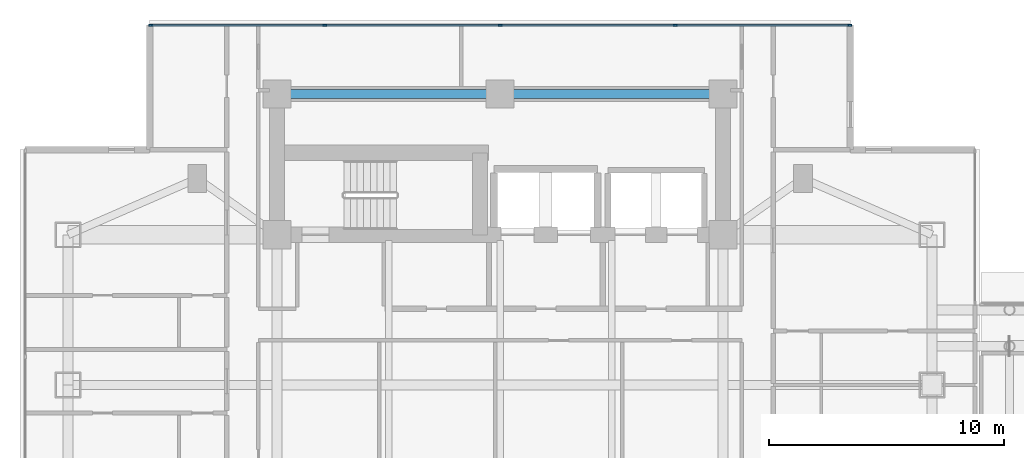
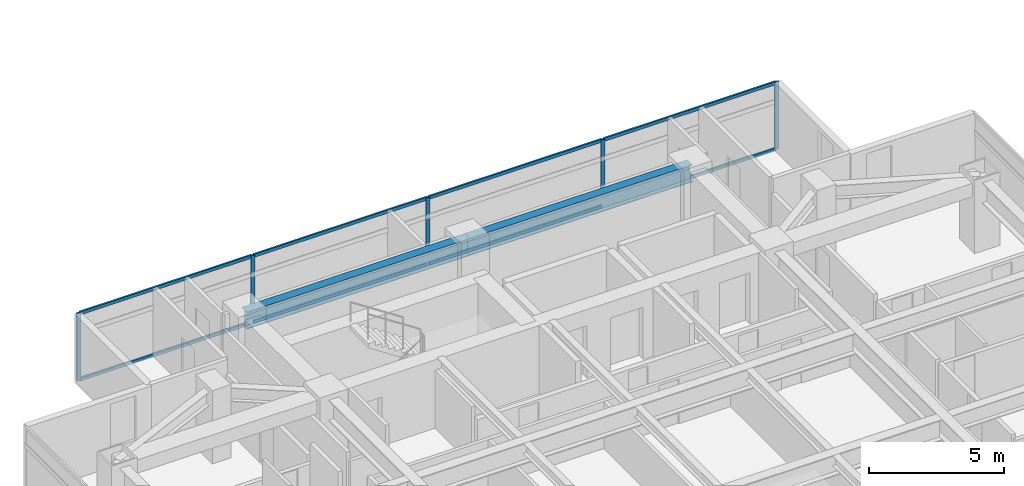
# One storey, part 7 of 29: 13 members, 2 beams, 1 element without a shape of its own.
"""IFC4 building model written with IfcOpenShell, lengths in metres."""

from ifc_helpers import new_model, si_unit, direction, frame, origin, origin_2d, place, context, subcontext, project, spatial, rectangle, i_section, extrude, material, material_profile, profile_set, type_object, element, aggregate, save


model = new_model("IFC4")

# Units and contexts
model_context = context("Model", 3, precision=1e-05, world=origin(), true_north=direction((0.0, 1.0)))
body_context = subcontext(model_context, "Body", "Model", "MODEL_VIEW")
ifc_project = project(units=[si_unit("LENGTHUNIT", "METRE"), si_unit("AREAUNIT", "SQUARE_METRE"), si_unit("VOLUMEUNIT", "CUBIC_METRE"), si_unit("PLANEANGLEUNIT", "RADIAN"), si_unit("MASSUNIT", "GRAM", prefix="KILO")], contexts=[model_context])

# Site, building, storey
site_placement = place(None, origin())
site = spatial("IfcSite", under=ifc_project, at=site_placement, CompositionType="ELEMENT")
building_placement = place(site_placement, origin())
building = spatial("IfcBuilding", under=site, at=building_placement, Name="Mirazonda Arch Towers", CompositionType="ELEMENT")
storey_placement = place(building_placement, frame((0.0, 0.0, 88.39990234375)))
storey = spatial("IfcBuildingStorey", under=building, at=storey_placement, Name="L24", CompositionType="ELEMENT", Elevation=88.39990234375)

# Beams
ifc_material_1 = material(Name="Steel ASTM A992 Grade 50", Category="steel")
ifc_material_profile_1 = material_profile(ifc_material_1, i_section(OverallWidth=0.381103515625, OverallDepth=0.77294921875, WebThickness=0.0166015625, FlangeThickness=0.027099609375, at=origin_2d()), Name="W30X173")
ifc_profile_set_1 = profile_set([ifc_material_profile_1], Name="Steel ASTM A992 Grade 50")
beam_type = type_object("IfcBeamType", Name="BM-INT-W30X173", PredefinedType="USERDEFINED", material=ifc_profile_set_1)
for number, where, z_axis, x_axis, name in (
    (1, (11.0, 43.60009765625, 2.693603515625), (1.0, 0.0, 0.0), (0.0, 1.0, 0.0), "L24 Floor Beam BM-T1-L24-CN1"),
    (2, (20.5, 43.60009765625, 2.693603515625), (1.0, 0.0, 0.0), (0.0, 1.0, 0.0), "L24 Floor Beam BM-T1-L24-CN2"),
):
    element("IfcBeam", number, at=place(storey_placement, frame(where, z_axis=z_axis, x_axis=x_axis)), inside=storey, type_object=beam_type, Name=name, ObjectType="GIRDER", PredefinedType="USERDEFINED", context=body_context, shape_type="SweptSolid", body=[
        extrude(i_section(OverallWidth=0.381103515625, OverallDepth=0.77294921875, WebThickness=0.0166015625, FlangeThickness=0.027099609375, at=origin_2d()), origin(), (0.0, 0.0, 1.0), 9.5),
    ])

# Curtain wall, members
ifc_material_2 = material(Name="Anodised Aluminium and Low-E Glass", Category="aluminium")
curtain_wall_type = type_object("IfcCurtainWallType", Name="CW-HTL-UNIT", PredefinedType="NOTDEFINED", material=ifc_material_2)
curtain_wall_placement = place(storey_placement, origin())
curtain_wall = element("IfcCurtainWall", 3, at=curtain_wall_placement, inside=storey, type_object=curtain_wall_type, Name="L24 T1 N Facade CW-L24-T1-N", PredefinedType="NOTDEFINED")
ifc_material_3 = material(Name="Anodised Aluminium Alloy", Category="aluminium")
ifc_material_profile_2 = material_profile(ifc_material_3, rectangle(XDim=0.074951171875, YDim=0.1650390625, at=origin_2d()), Name="ALU-MULL-75x165")
ifc_profile_set_2 = profile_set([ifc_material_profile_2], Name="Anodised Aluminium Alloy")
member_type_1 = type_object("IfcMemberType", Name="MULL-CW-HTL-UNIT", PredefinedType="MULLION", material=ifc_profile_set_2)
member_1_placement = place(storey_placement, frame((5.612548828125, 46.530029296875, 0.0), z_axis=(0.0, 0.0, 1.0), x_axis=(0.0, 1.0, 0.0)))
member_1 = element("IfcMember", 4, at=member_1_placement, type_object=member_type_1, Name="CW-112 mullion 1", PredefinedType="MULLION", context=body_context, shape_type="SweptSolid", body=[
    extrude(rectangle(XDim=0.074951171875, YDim=0.1650390625, at=origin_2d()), origin(), (0.0, 0.0, 1.0), 3.06005859375),
])
member_2_placement = place(storey_placement, frame((13.03759765625, 46.530029296875, 0.0), z_axis=(0.0, 0.0, 1.0), x_axis=(0.0, 1.0, 0.0)))
member_2 = element("IfcMember", 5, at=member_2_placement, type_object=member_type_1, Name="CW-112 mullion 2", PredefinedType="MULLION", context=body_context, shape_type="SweptSolid", body=[
    extrude(rectangle(XDim=0.074951171875, YDim=0.1650390625, at=origin_2d()), origin(), (0.0, 0.0, 1.0), 3.06005859375),
])
member_3_placement = place(storey_placement, frame((20.5, 46.530029296875, 0.0), z_axis=(0.0, 0.0, 1.0), x_axis=(0.0, 1.0, 0.0)))
member_3 = element("IfcMember", 6, at=member_3_placement, type_object=member_type_1, Name="CW-112 mullion 3", PredefinedType="MULLION", context=body_context, shape_type="SweptSolid", body=[
    extrude(rectangle(XDim=0.074951171875, YDim=0.1650390625, at=origin_2d()), origin(), (0.0, 0.0, 1.0), 3.06005859375),
])
member_4_placement = place(storey_placement, frame((27.96240234375, 46.530029296875, 0.0), z_axis=(0.0, 0.0, 1.0), x_axis=(0.0, 1.0, 0.0)))
member_4 = element("IfcMember", 7, at=member_4_placement, type_object=member_type_1, Name="CW-112 mullion 4", PredefinedType="MULLION", context=body_context, shape_type="SweptSolid", body=[
    extrude(rectangle(XDim=0.074951171875, YDim=0.1650390625, at=origin_2d()), origin(), (0.0, 0.0, 1.0), 3.06005859375),
])
member_5_placement = place(storey_placement, frame((35.387451171875, 46.530029296875, 0.0), z_axis=(0.0, 0.0, 1.0), x_axis=(0.0, 1.0, 0.0)))
member_5 = element("IfcMember", 8, at=member_5_placement, type_object=member_type_1, Name="CW-112 mullion 5", PredefinedType="MULLION", context=body_context, shape_type="SweptSolid", body=[
    extrude(rectangle(XDim=0.074951171875, YDim=0.1650390625, at=origin_2d()), origin(), (0.0, 0.0, 1.0), 3.06005859375),
])
ifc_material_profile_3 = material_profile(ifc_material_3, rectangle(XDim=0.074951171875, YDim=0.14501953125, at=origin_2d()), Name="ALU-TRAN-75x145")
ifc_profile_set_3 = profile_set([ifc_material_profile_3], Name="Anodised Aluminium Alloy")
member_type_2 = type_object("IfcMemberType", Name="TRAN-CW-HTL-UNIT", PredefinedType="USERDEFINED", material=ifc_profile_set_3)
member_6_placement = place(storey_placement, frame((5.64990234375, 46.530029296875, 0.03759765625), z_axis=(1.0, 0.0, 0.0), x_axis=(0.0, 1.0, 0.0)))
member_6 = element("IfcMember", 9, at=member_6_placement, type_object=member_type_2, Name="CW-112 transom 1.1", ObjectType="TRANSOM", PredefinedType="USERDEFINED", context=body_context, shape_type="SweptSolid", body=[
    extrude(rectangle(XDim=0.074951171875, YDim=0.14501953125, at=origin_2d()), origin(), (0.0, 0.0, 1.0), 7.35009765625),
])
member_7_placement = place(storey_placement, frame((5.64990234375, 46.530029296875, 3.022705078125), z_axis=(1.0, 0.0, 0.0), x_axis=(0.0, 1.0, 0.0)))
member_7 = element("IfcMember", 10, at=member_7_placement, type_object=member_type_2, Name="CW-112 transom 1.2", ObjectType="TRANSOM", PredefinedType="USERDEFINED", context=body_context, shape_type="SweptSolid", body=[
    extrude(rectangle(XDim=0.074951171875, YDim=0.14501953125, at=origin_2d()), origin(), (0.0, 0.0, 1.0), 7.35009765625),
])
member_8_placement = place(storey_placement, frame((13.074951171875, 46.530029296875, 0.03759765625), z_axis=(1.0, 0.0, 0.0), x_axis=(0.0, 1.0, 0.0)))
member_8 = element("IfcMember", 11, at=member_8_placement, type_object=member_type_2, Name="CW-112 transom 2.1", ObjectType="TRANSOM", PredefinedType="USERDEFINED", context=body_context, shape_type="SweptSolid", body=[
    extrude(rectangle(XDim=0.074951171875, YDim=0.14501953125, at=origin_2d()), origin(), (0.0, 0.0, 1.0), 7.387451171875),
])
member_9_placement = place(storey_placement, frame((13.074951171875, 46.530029296875, 3.022705078125), z_axis=(1.0, 0.0, 0.0), x_axis=(0.0, 1.0, 0.0)))
member_9 = element("IfcMember", 12, at=member_9_placement, type_object=member_type_2, Name="CW-112 transom 2.2", ObjectType="TRANSOM", PredefinedType="USERDEFINED", context=body_context, shape_type="SweptSolid", body=[
    extrude(rectangle(XDim=0.074951171875, YDim=0.14501953125, at=origin_2d()), origin(), (0.0, 0.0, 1.0), 7.387451171875),
])
member_10_placement = place(storey_placement, frame((20.53759765625, 46.530029296875, 0.03759765625), z_axis=(1.0, 0.0, 0.0), x_axis=(0.0, 1.0, 0.0)))
member_10 = element("IfcMember", 13, at=member_10_placement, type_object=member_type_2, Name="CW-112 transom 3.1", ObjectType="TRANSOM", PredefinedType="USERDEFINED", context=body_context, shape_type="SweptSolid", body=[
    extrude(rectangle(XDim=0.074951171875, YDim=0.14501953125, at=origin_2d()), origin(), (0.0, 0.0, 1.0), 7.387451171875),
])
member_11_placement = place(storey_placement, frame((20.53759765625, 46.530029296875, 3.022705078125), z_axis=(1.0, 0.0, 0.0), x_axis=(0.0, 1.0, 0.0)))
member_11 = element("IfcMember", 14, at=member_11_placement, type_object=member_type_2, Name="CW-112 transom 3.2", ObjectType="TRANSOM", PredefinedType="USERDEFINED", context=body_context, shape_type="SweptSolid", body=[
    extrude(rectangle(XDim=0.074951171875, YDim=0.14501953125, at=origin_2d()), origin(), (0.0, 0.0, 1.0), 7.387451171875),
])
member_12_placement = place(storey_placement, frame((28.0, 46.530029296875, 0.03759765625), z_axis=(1.0, 0.0, 0.0), x_axis=(0.0, 1.0, 0.0)))
member_12 = element("IfcMember", 15, at=member_12_placement, type_object=member_type_2, Name="CW-112 transom 4.1", ObjectType="TRANSOM", PredefinedType="USERDEFINED", context=body_context, shape_type="SweptSolid", body=[
    extrude(rectangle(XDim=0.074951171875, YDim=0.14501953125, at=origin_2d()), origin(), (0.0, 0.0, 1.0), 7.35009765625),
])
member_13_placement = place(storey_placement, frame((28.0, 46.530029296875, 3.022705078125), z_axis=(1.0, 0.0, 0.0), x_axis=(0.0, 1.0, 0.0)))
member_13 = element("IfcMember", 16, at=member_13_placement, type_object=member_type_2, Name="CW-112 transom 4.2", ObjectType="TRANSOM", PredefinedType="USERDEFINED", context=body_context, shape_type="SweptSolid", body=[
    extrude(rectangle(XDim=0.074951171875, YDim=0.14501953125, at=origin_2d()), origin(), (0.0, 0.0, 1.0), 7.35009765625),
])
aggregate(curtain_wall, [member_1, member_2, member_3, member_4, member_5, member_6, member_7, member_8, member_9, member_10, member_11, member_12, member_13])

save(model, "model.ifc")
